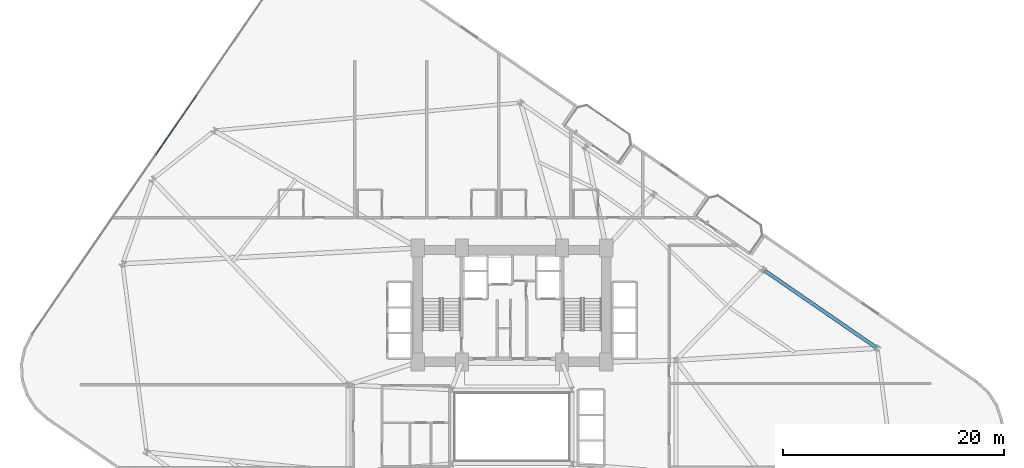
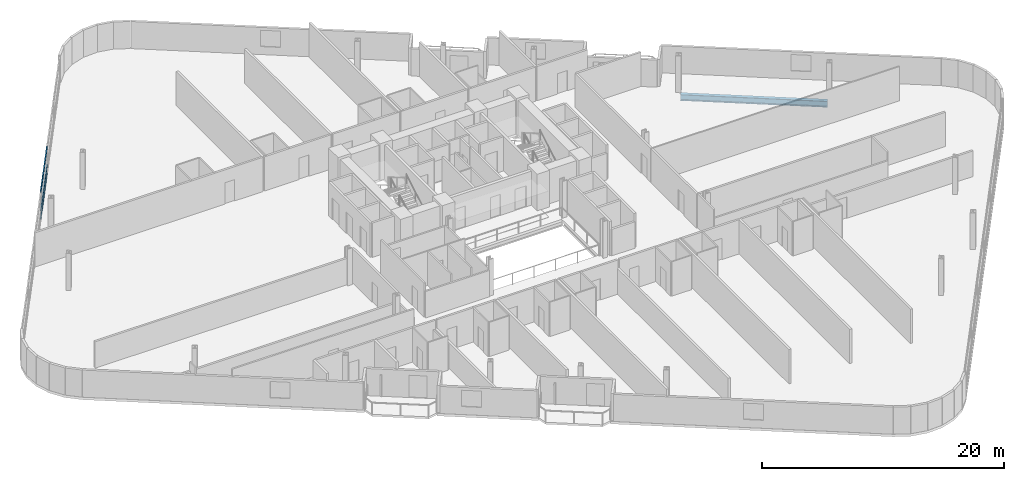
# One storey, part 12 of 25: 3 members, 1 beam, 1 element without a shape of its own.
"""IFC4 building model written with IfcOpenShell, lengths in metres."""

from ifc_helpers import new_model, si_unit, direction, frame, origin, origin_2d, place, context, subcontext, project, spatial, hollow_rectangle, i_section, extrude, material, layer, layer_set, material_profile, profile_set, type_object, element, aggregate, save


model = new_model("IFC4")

# Units and contexts
model_context = context("Model", 3, precision=1e-05, world=origin(), true_north=direction((0.0, 1.0)))
body_context = subcontext(model_context, "Body", "Model", "MODEL_VIEW")
ifc_project = project(units=[si_unit("LENGTHUNIT", "METRE"), si_unit("AREAUNIT", "SQUARE_METRE"), si_unit("VOLUMEUNIT", "CUBIC_METRE"), si_unit("PLANEANGLEUNIT", "RADIAN"), si_unit("MASSUNIT", "GRAM", prefix="KILO")], contexts=[model_context])

# Site, building, storey
site_placement = place(None, origin())
site = spatial("IfcSite", under=ifc_project, at=site_placement, CompositionType="ELEMENT")
building_placement = place(site_placement, origin())
building = spatial("IfcBuilding", under=site, at=building_placement, Name="Varnelok Gate Tower", CompositionType="ELEMENT")
storey_placement = place(building_placement, frame((0.0, 0.0, 64.0)))
storey = spatial("IfcBuildingStorey", under=building, at=storey_placement, Name="L15", CompositionType="ELEMENT", Elevation=64.0)

# Beam
ifc_material_1 = material(Name="Structural Steel ASTM A992 Grade 50", Category="steel")
ifc_material_profile_1 = material_profile(ifc_material_1, i_section(OverallWidth=0.323974609375, OverallDepth=0.611083984375, WebThickness=0.0126953125, FlangeThickness=0.01904296875, FilletRadius=0.01806640625, at=origin_2d()), Name="W24X104")
ifc_profile_set_1 = profile_set([ifc_material_profile_1], Name="Structural Steel ASTM A992 Grade 50")
beam_type = type_object("IfcBeamType", Name="BM-SPN-W24X104", PredefinedType="SPANDREL", material=ifc_profile_set_1)
beam_placement = place(storey_placement, frame((72.06201171875, 30.08251953125, -0.555419921875), z_axis=(-0.823543541425, 0.567253061144, 0.0), x_axis=(-0.567253061144, -0.823543541425, 0.0)))
element("IfcBeam", 1, at=beam_placement, inside=storey, type_object=beam_type, Name="L15 Perimeter Spandrel Beam 9", PredefinedType="SPANDREL", context=body_context, shape_type="SweptSolid", body=[
    extrude(i_section(OverallWidth=0.323974609375, OverallDepth=0.611083984375, WebThickness=0.0126953125, FlangeThickness=0.01904296875, FilletRadius=0.01806640625, at=origin_2d()), origin(), (0.0, 0.0, 1.0), 12.199951171875),
])

# Curtain wall, members
ifc_material_2 = material(Name="Anodized Aluminum Alloy 6063-T6", Category="aluminium")
ifc_layer = layer(ifc_material_2, 0.179931640625)
ifc_layer_set = layer_set([ifc_layer], Name="Anodized Aluminum Alloy 6063-T6")
curtain_wall_type = type_object("IfcCurtainWallType", Name="CW3-HOTEL-VISION", PredefinedType="USERDEFINED", material=ifc_layer_set)
curtain_wall_placement = place(storey_placement, origin())
curtain_wall = element("IfcCurtainWall", 2, at=curtain_wall_placement, inside=storey, type_object=curtain_wall_type, Name="L15 West End Vision Curtain Wall", ObjectType="UNITISED CURTAIN WALL", PredefinedType="USERDEFINED")
ifc_material_profile_2 = material_profile(ifc_material_2, hollow_rectangle(XDim=0.06494140625, YDim=0.159912109375, WallThickness=0.00390625, at=origin_2d()), Name="ALU160X65X4")
ifc_profile_set_2 = profile_set([ifc_material_profile_2], Name="Anodized Aluminum Alloy 6063-T6")
member_type = type_object("IfcMemberType", Name="CW-TRAN-160", PredefinedType="USERDEFINED", material=ifc_profile_set_2)
member_1_placement = place(storey_placement, frame((7.05126953125, 47.484375, 0.032470703125), z_axis=(0.567279204469, 0.823525533409, 0.0), x_axis=(-0.823525533409, 0.567279204469, 0.0)))
member_1 = element("IfcMember", 3, at=member_1_placement, type_object=member_type, Name="CW3 transom 4.1", ObjectType="TRANSOM", PredefinedType="USERDEFINED", context=body_context, shape_type="SweptSolid", body=[
    extrude(hollow_rectangle(XDim=0.06494140625, YDim=0.159912109375, WallThickness=0.00390625, at=origin_2d()), origin(), (0.0, 0.0, 1.0), 6.501708984375),
])
member_2_placement = place(storey_placement, frame((7.05126953125, 47.484375, 0.89990234375), z_axis=(0.567279204469, 0.823525533409, 0.0), x_axis=(-0.823525533409, 0.567279204469, 0.0)))
member_2 = element("IfcMember", 4, at=member_2_placement, type_object=member_type, Name="CW3 transom 4.2", ObjectType="TRANSOM", PredefinedType="USERDEFINED", context=body_context, shape_type="SweptSolid", body=[
    extrude(hollow_rectangle(XDim=0.06494140625, YDim=0.159912109375, WallThickness=0.00390625, at=origin_2d()), origin(), (0.0, 0.0, 1.0), 6.501708984375),
])
member_3_placement = place(storey_placement, frame((7.05126953125, 47.484375, 2.697509765625), z_axis=(0.567279204469, 0.823525533409, 0.0), x_axis=(-0.823525533409, 0.567279204469, 0.0)))
member_3 = element("IfcMember", 5, at=member_3_placement, type_object=member_type, Name="CW3 transom 4.3", ObjectType="TRANSOM", PredefinedType="USERDEFINED", context=body_context, shape_type="SweptSolid", body=[
    extrude(hollow_rectangle(XDim=0.06494140625, YDim=0.159912109375, WallThickness=0.00390625, at=origin_2d()), origin(), (0.0, 0.0, 1.0), 6.501708984375),
])
aggregate(curtain_wall, [member_1, member_2, member_3])

save(model, "model.ifc")
